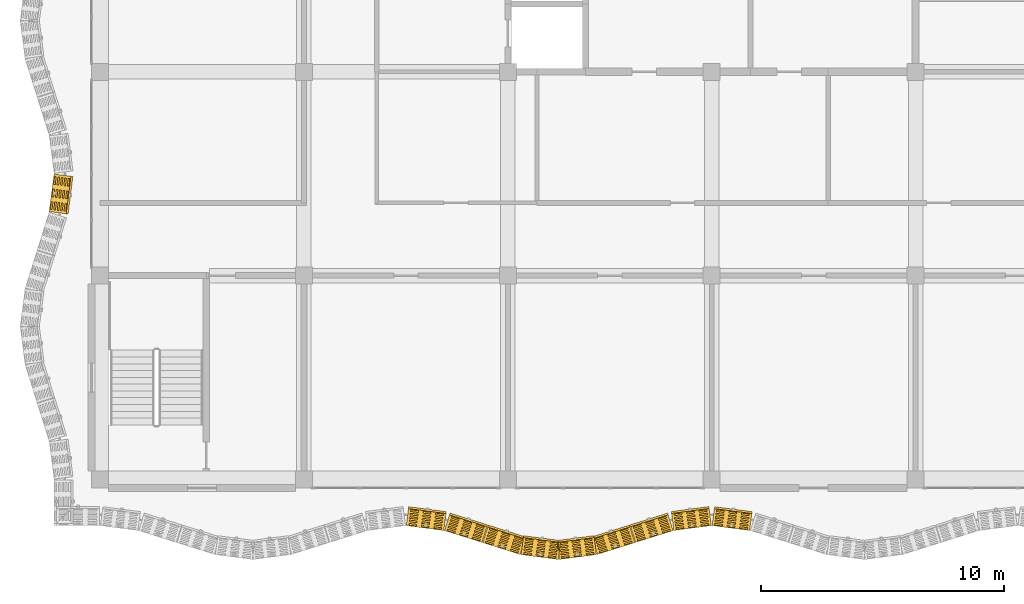
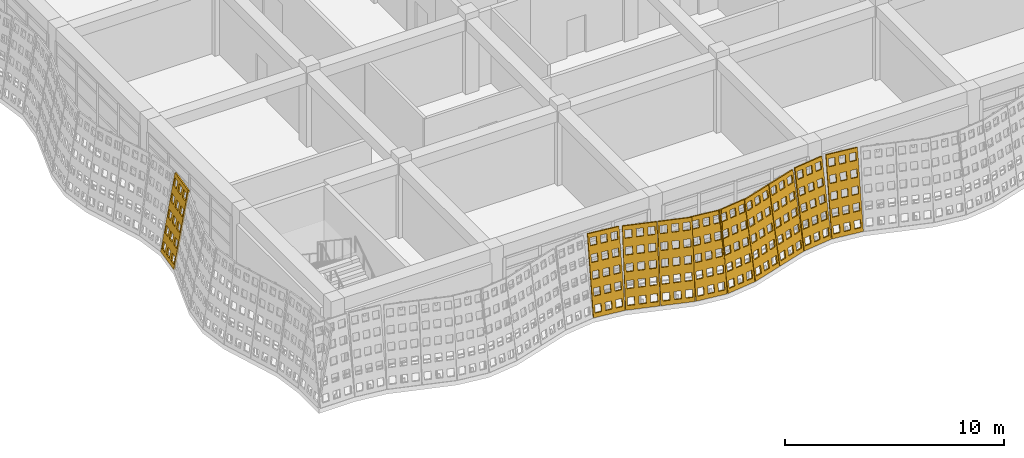
# One storey, part 115 of 162: 10 coverings.
"""IFC4 building model written with IfcOpenShell, lengths in metres."""

from ifc_helpers import new_model, si_unit, direction, frame, origin, place, context, subcontext, project, spatial, polyline, outline, extrude, material, layer, layer_set, type_object, element, save


model = new_model("IFC4")

# Units and contexts
model_context = context("Model", 3, precision=1e-05, world=origin(), true_north=direction((0.0, 1.0)))
body_context = subcontext(model_context, "Body", "Model", "MODEL_VIEW")
ifc_project = project(units=[si_unit("LENGTHUNIT", "METRE"), si_unit("AREAUNIT", "SQUARE_METRE"), si_unit("VOLUMEUNIT", "CUBIC_METRE"), si_unit("PLANEANGLEUNIT", "RADIAN"), si_unit("MASSUNIT", "GRAM", prefix="KILO")], contexts=[model_context])

# Site, building, storey
site_placement = place(None, origin())
site = spatial("IfcSite", under=ifc_project, at=site_placement, CompositionType="ELEMENT")
building_placement = place(site_placement, origin())
building = spatial("IfcBuilding", under=site, at=building_placement, Name="Rain Tree Exposition and Congress Centre", CompositionType="ELEMENT")
storey_placement = place(building_placement, frame((0.0, 0.0, 6.0)))
storey = spatial("IfcBuildingStorey", under=building, at=storey_placement, Name="L01", CompositionType="ELEMENT", Elevation=6.0)

# Coverings
ifc_material = material(Name="Perforated terracotta", Category="masonry")
ifc_layer = layer(ifc_material, 0.080078125)
ifc_layer_set = layer_set([ifc_layer], Name="Perforated terracotta")
covering_type = type_object("IfcCoveringType", Name="Terracotta screen 80", PredefinedType="CLADDING", material=ifc_layer_set)
covering_1_placement = place(storey_placement, frame((12.600341796875, -1.898193359375, 0.01318359375), z_axis=(0.127967328105, 0.978036007662, -0.16452942185), x_axis=(-0.991548658387, 0.129735338481, 0.0)))
element("IfcCovering", 1, at=covering_1_placement, inside=storey, type_object=covering_type, Name="wing/screen/L01/009", PredefinedType="CLADDING", context=body_context, shape_type="SweptSolid", body=[
    extrude(outline(polyline([(-1.5732421875, 0.0), (-1.5732421875, 4.295166015625), (-0.014892578125, 4.295166015625), (-0.014892578125, 0.0), (-1.5732421875, 0.0)]), holes=[polyline([(-0.11376953125, 0.2216796875), (-0.11376953125, 0.63720703125), (-0.435791015625, 0.63720703125), (-0.435791015625, 0.2216796875), (-0.11376953125, 0.2216796875)]), polyline([(-0.11376953125, 1.080810546875), (-0.11376953125, 1.496337890625), (-0.435791015625, 1.496337890625), (-0.435791015625, 1.080810546875), (-0.11376953125, 1.080810546875)]), polyline([(-0.11376953125, 1.939697265625), (-0.11376953125, 2.35546875), (-0.435791015625, 2.35546875), (-0.435791015625, 1.939697265625), (-0.11376953125, 1.939697265625)]), polyline([(-0.11376953125, 2.798583984375), (-0.11376953125, 3.21435546875), (-0.435791015625, 3.21435546875), (-0.435791015625, 2.798583984375), (-0.11376953125, 2.798583984375)]), polyline([(-0.11376953125, 3.65771484375), (-0.11376953125, 4.073486328125), (-0.435791015625, 4.073486328125), (-0.435791015625, 3.65771484375), (-0.11376953125, 3.65771484375)]), polyline([(-0.633056640625, 0.2216796875), (-0.633056640625, 0.63720703125), (-0.955078125, 0.63720703125), (-0.955078125, 0.2216796875), (-0.633056640625, 0.2216796875)]), polyline([(-0.633056640625, 1.080810546875), (-0.633056640625, 1.496337890625), (-0.955078125, 1.496337890625), (-0.955078125, 1.080810546875), (-0.633056640625, 1.080810546875)]), polyline([(-0.633056640625, 1.939697265625), (-0.633056640625, 2.35546875), (-0.955078125, 2.35546875), (-0.955078125, 1.939697265625), (-0.633056640625, 1.939697265625)]), polyline([(-0.633056640625, 2.798583984375), (-0.633056640625, 3.21435546875), (-0.955078125, 3.21435546875), (-0.955078125, 2.798583984375), (-0.633056640625, 2.798583984375)]), polyline([(-0.633056640625, 3.65771484375), (-0.633056640625, 4.073486328125), (-0.955078125, 4.073486328125), (-0.955078125, 3.65771484375), (-0.633056640625, 3.65771484375)]), polyline([(-1.152587890625, 0.2216796875), (-1.152587890625, 0.63720703125), (-1.474609375, 0.63720703125), (-1.474609375, 0.2216796875), (-1.152587890625, 0.2216796875)]), polyline([(-1.152587890625, 1.080810546875), (-1.152587890625, 1.496337890625), (-1.474609375, 1.496337890625), (-1.474609375, 1.080810546875), (-1.152587890625, 1.080810546875)]), polyline([(-1.152587890625, 1.939697265625), (-1.152587890625, 2.35546875), (-1.474609375, 2.35546875), (-1.474609375, 1.939697265625), (-1.152587890625, 1.939697265625)]), polyline([(-1.152587890625, 2.798583984375), (-1.152587890625, 3.21435546875), (-1.474609375, 3.21435546875), (-1.474609375, 2.798583984375), (-1.152587890625, 2.798583984375)]), polyline([(-1.152587890625, 3.65771484375), (-1.152587890625, 4.073486328125), (-1.474609375, 4.073486328125), (-1.474609375, 3.65771484375), (-1.152587890625, 3.65771484375)])]), origin(), (0.0, 0.0, 1.0), 0.080078125),
])
covering_2_placement = place(storey_placement, frame((14.175537109375, -2.103515625, 0.0126953125), z_axis=(0.295717964052, 0.942029390639, -0.158529217842), x_axis=(-0.954094597562, 0.29950542383, 0.0)))
element("IfcCovering", 2, at=covering_2_placement, inside=storey, type_object=covering_type, Name="wing/screen/L01/010", PredefinedType="CLADDING", context=body_context, shape_type="SweptSolid", body=[
    extrude(outline(polyline([(-1.635986328125, 0.0), (-1.635986328125, 4.291259765625), (-0.014892578125, 4.291259765625), (-0.014892578125, 0.0), (-1.635986328125, 0.0)]), holes=[polyline([(-0.11767578125, 0.221435546875), (-0.11767578125, 0.63671875), (-0.45263671875, 0.63671875), (-0.45263671875, 0.221435546875), (-0.11767578125, 0.221435546875)]), polyline([(-0.11767578125, 1.07958984375), (-0.11767578125, 1.4951171875), (-0.45263671875, 1.4951171875), (-0.45263671875, 1.07958984375), (-0.11767578125, 1.07958984375)]), polyline([(-0.11767578125, 1.93798828125), (-0.11767578125, 2.353271484375), (-0.45263671875, 2.353271484375), (-0.45263671875, 1.93798828125), (-0.11767578125, 1.93798828125)]), polyline([(-0.11767578125, 2.796142578125), (-0.11767578125, 3.21142578125), (-0.45263671875, 3.21142578125), (-0.45263671875, 2.796142578125), (-0.11767578125, 2.796142578125)]), polyline([(-0.11767578125, 3.654541015625), (-0.11767578125, 4.06982421875), (-0.45263671875, 4.06982421875), (-0.45263671875, 3.654541015625), (-0.11767578125, 3.654541015625)]), polyline([(-0.657958984375, 0.221435546875), (-0.657958984375, 0.63671875), (-0.992919921875, 0.63671875), (-0.992919921875, 0.221435546875), (-0.657958984375, 0.221435546875)]), polyline([(-0.657958984375, 1.07958984375), (-0.657958984375, 1.4951171875), (-0.992919921875, 1.4951171875), (-0.992919921875, 1.07958984375), (-0.657958984375, 1.07958984375)]), polyline([(-0.657958984375, 1.93798828125), (-0.657958984375, 2.353271484375), (-0.992919921875, 2.353271484375), (-0.992919921875, 1.93798828125), (-0.657958984375, 1.93798828125)]), polyline([(-0.657958984375, 2.796142578125), (-0.657958984375, 3.21142578125), (-0.992919921875, 3.21142578125), (-0.992919921875, 2.796142578125), (-0.657958984375, 2.796142578125)]), polyline([(-0.657958984375, 3.654541015625), (-0.657958984375, 4.06982421875), (-0.992919921875, 4.06982421875), (-0.992919921875, 3.654541015625), (-0.657958984375, 3.654541015625)]), polyline([(-1.1982421875, 0.221435546875), (-1.1982421875, 0.63671875), (-1.533203125, 0.63671875), (-1.533203125, 0.221435546875), (-1.1982421875, 0.221435546875)]), polyline([(-1.1982421875, 1.07958984375), (-1.1982421875, 1.4951171875), (-1.533203125, 1.4951171875), (-1.533203125, 1.07958984375), (-1.1982421875, 1.07958984375)]), polyline([(-1.1982421875, 1.93798828125), (-1.1982421875, 2.353271484375), (-1.533203125, 2.353271484375), (-1.533203125, 1.93798828125), (-1.1982421875, 1.93798828125)]), polyline([(-1.1982421875, 2.796142578125), (-1.1982421875, 3.21142578125), (-1.533203125, 3.21142578125), (-1.533203125, 2.796142578125), (-1.1982421875, 2.796142578125)]), polyline([(-1.1982421875, 3.654541015625), (-1.1982421875, 4.06982421875), (-1.533203125, 4.06982421875), (-1.533203125, 3.654541015625), (-1.1982421875, 3.654541015625)])]), origin(), (0.0, 0.0, 1.0), 0.080078125),
])
covering_3_placement = place(storey_placement, frame((15.75048828125, -2.598388671875, 0.0126953125), z_axis=(0.298496232686, 0.941176896939, -0.158385756119), x_axis=(-0.953208958144, 0.302312226207, 0.0)))
element("IfcCovering", 3, at=covering_3_placement, inside=storey, type_object=covering_type, Name="wing/screen/L01/011", PredefinedType="CLADDING", context=body_context, shape_type="SweptSolid", body=[
    extrude(outline(polyline([(-1.62890625, 0.0), (-1.62890625, 4.291259765625), (-0.014892578125, 4.291259765625), (-0.014892578125, 0.0), (-1.62890625, 0.0)]), holes=[polyline([(-0.1171875, 0.221435546875), (-0.1171875, 0.63671875), (-0.45068359375, 0.63671875), (-0.45068359375, 0.221435546875), (-0.1171875, 0.221435546875)]), polyline([(-0.1171875, 1.07958984375), (-0.1171875, 1.4951171875), (-0.45068359375, 1.4951171875), (-0.45068359375, 1.07958984375), (-0.1171875, 1.07958984375)]), polyline([(-0.1171875, 1.93798828125), (-0.1171875, 2.353271484375), (-0.45068359375, 2.353271484375), (-0.45068359375, 1.93798828125), (-0.1171875, 1.93798828125)]), polyline([(-0.1171875, 2.796142578125), (-0.1171875, 3.21142578125), (-0.45068359375, 3.21142578125), (-0.45068359375, 2.796142578125), (-0.1171875, 2.796142578125)]), polyline([(-0.1171875, 3.654541015625), (-0.1171875, 4.06982421875), (-0.45068359375, 4.06982421875), (-0.45068359375, 3.654541015625), (-0.1171875, 3.654541015625)]), polyline([(-0.6552734375, 0.221435546875), (-0.6552734375, 0.63671875), (-0.98876953125, 0.63671875), (-0.98876953125, 0.221435546875), (-0.6552734375, 0.221435546875)]), polyline([(-0.6552734375, 1.07958984375), (-0.6552734375, 1.4951171875), (-0.98876953125, 1.4951171875), (-0.98876953125, 1.07958984375), (-0.6552734375, 1.07958984375)]), polyline([(-0.6552734375, 1.93798828125), (-0.6552734375, 2.353271484375), (-0.98876953125, 2.353271484375), (-0.98876953125, 1.93798828125), (-0.6552734375, 1.93798828125)]), polyline([(-0.6552734375, 2.796142578125), (-0.6552734375, 3.21142578125), (-0.98876953125, 3.21142578125), (-0.98876953125, 2.796142578125), (-0.6552734375, 2.796142578125)]), polyline([(-0.6552734375, 3.654541015625), (-0.6552734375, 4.06982421875), (-0.98876953125, 4.06982421875), (-0.98876953125, 3.654541015625), (-0.6552734375, 3.654541015625)]), polyline([(-1.193115234375, 0.221435546875), (-1.193115234375, 0.63671875), (-1.526611328125, 0.63671875), (-1.526611328125, 0.221435546875), (-1.193115234375, 0.221435546875)]), polyline([(-1.193115234375, 1.07958984375), (-1.193115234375, 1.4951171875), (-1.526611328125, 1.4951171875), (-1.526611328125, 1.07958984375), (-1.193115234375, 1.07958984375)]), polyline([(-1.193115234375, 1.93798828125), (-1.193115234375, 2.353271484375), (-1.526611328125, 2.353271484375), (-1.526611328125, 1.93798828125), (-1.193115234375, 1.93798828125)]), polyline([(-1.193115234375, 2.796142578125), (-1.193115234375, 3.21142578125), (-1.526611328125, 3.21142578125), (-1.526611328125, 2.796142578125), (-1.193115234375, 2.796142578125)]), polyline([(-1.193115234375, 3.654541015625), (-1.193115234375, 4.06982421875), (-1.526611328125, 4.06982421875), (-1.526611328125, 3.654541015625), (-1.193115234375, 3.654541015625)])]), origin(), (0.0, 0.0, 1.0), 0.080078125),
])
covering_4_placement = place(storey_placement, frame((17.3251953125, -3.093017578125, 0.01318359375), z_axis=(0.128349774249, 0.9779030419, -0.165021138321), x_axis=(-0.991496427865, 0.130133906157, 0.0)))
element("IfcCovering", 4, at=covering_4_placement, inside=storey, type_object=covering_type, Name="wing/screen/L01/012", PredefinedType="CLADDING", context=body_context, shape_type="SweptSolid", body=[
    extrude(outline(polyline([(-1.56298828125, 0.0), (-1.56298828125, 4.295166015625), (-0.02197265625, 4.295166015625), (-0.02197265625, 0.0), (-1.56298828125, 0.0)]), holes=[polyline([(-0.11962890625, 0.2216796875), (-0.11962890625, 0.63720703125), (-0.43798828125, 0.63720703125), (-0.43798828125, 0.2216796875), (-0.11962890625, 0.2216796875)]), polyline([(-0.11962890625, 1.080810546875), (-0.11962890625, 1.496337890625), (-0.43798828125, 1.496337890625), (-0.43798828125, 1.080810546875), (-0.11962890625, 1.080810546875)]), polyline([(-0.11962890625, 1.939697265625), (-0.11962890625, 2.35546875), (-0.43798828125, 2.35546875), (-0.43798828125, 1.939697265625), (-0.11962890625, 1.939697265625)]), polyline([(-0.11962890625, 2.798583984375), (-0.11962890625, 3.21435546875), (-0.43798828125, 3.21435546875), (-0.43798828125, 2.798583984375), (-0.11962890625, 2.798583984375)]), polyline([(-0.11962890625, 3.65771484375), (-0.11962890625, 4.073486328125), (-0.43798828125, 4.073486328125), (-0.43798828125, 3.65771484375), (-0.11962890625, 3.65771484375)]), polyline([(-0.63330078125, 0.2216796875), (-0.63330078125, 0.63720703125), (-0.95166015625, 0.63720703125), (-0.95166015625, 0.2216796875), (-0.63330078125, 0.2216796875)]), polyline([(-0.63330078125, 1.080810546875), (-0.63330078125, 1.496337890625), (-0.95166015625, 1.496337890625), (-0.95166015625, 1.080810546875), (-0.63330078125, 1.080810546875)]), polyline([(-0.63330078125, 1.939697265625), (-0.63330078125, 2.35546875), (-0.95166015625, 2.35546875), (-0.95166015625, 1.939697265625), (-0.63330078125, 1.939697265625)]), polyline([(-0.63330078125, 2.798583984375), (-0.63330078125, 3.21435546875), (-0.95166015625, 3.21435546875), (-0.95166015625, 2.798583984375), (-0.63330078125, 2.798583984375)]), polyline([(-0.63330078125, 3.65771484375), (-0.63330078125, 4.073486328125), (-0.95166015625, 4.073486328125), (-0.95166015625, 3.65771484375), (-0.63330078125, 3.65771484375)]), polyline([(-1.146728515625, 0.2216796875), (-1.146728515625, 0.63720703125), (-1.46533203125, 0.63720703125), (-1.46533203125, 0.2216796875), (-1.146728515625, 0.2216796875)]), polyline([(-1.146728515625, 1.080810546875), (-1.146728515625, 1.496337890625), (-1.46533203125, 1.496337890625), (-1.46533203125, 1.080810546875), (-1.146728515625, 1.080810546875)]), polyline([(-1.146728515625, 1.939697265625), (-1.146728515625, 2.35546875), (-1.46533203125, 2.35546875), (-1.46533203125, 1.939697265625), (-1.146728515625, 1.939697265625)]), polyline([(-1.146728515625, 2.798583984375), (-1.146728515625, 3.21435546875), (-1.46533203125, 3.21435546875), (-1.46533203125, 2.798583984375), (-1.146728515625, 2.798583984375)]), polyline([(-1.146728515625, 3.65771484375), (-1.146728515625, 4.073486328125), (-1.46533203125, 4.073486328125), (-1.46533203125, 3.65771484375), (-1.146728515625, 3.65771484375)])]), origin(), (0.0, 0.0, 1.0), 0.079833984375),
])
covering_5_placement = place(storey_placement, frame((18.899658203125, -3.298095703125, 0.01318359375), z_axis=(-0.128349774249, 0.9779030419, -0.165021138321), x_axis=(-0.991496427865, -0.130133906157, 0.0)))
element("IfcCovering", 5, at=covering_5_placement, inside=storey, type_object=covering_type, Name="wing/screen/L01/013", PredefinedType="CLADDING", context=body_context, shape_type="SweptSolid", body=[
    extrude(outline(polyline([(-1.56640625, 0.0), (-1.56640625, 4.295166015625), (-0.025390625, 4.295166015625), (-0.025390625, 0.0), (-1.56640625, 0.0)]), holes=[polyline([(-0.123046875, 0.2216796875), (-0.123046875, 0.63720703125), (-0.44140625, 0.63720703125), (-0.44140625, 0.2216796875), (-0.123046875, 0.2216796875)]), polyline([(-0.123046875, 1.080810546875), (-0.123046875, 1.496337890625), (-0.44140625, 1.496337890625), (-0.44140625, 1.080810546875), (-0.123046875, 1.080810546875)]), polyline([(-0.123046875, 1.939697265625), (-0.123046875, 2.35546875), (-0.44140625, 2.35546875), (-0.44140625, 1.939697265625), (-0.123046875, 1.939697265625)]), polyline([(-0.123046875, 2.798583984375), (-0.123046875, 3.21435546875), (-0.44140625, 3.21435546875), (-0.44140625, 2.798583984375), (-0.123046875, 2.798583984375)]), polyline([(-0.123046875, 3.65771484375), (-0.123046875, 4.073486328125), (-0.44140625, 4.073486328125), (-0.44140625, 3.65771484375), (-0.123046875, 3.65771484375)]), polyline([(-0.63671875, 0.2216796875), (-0.63671875, 0.63720703125), (-0.955078125, 0.63720703125), (-0.955078125, 0.2216796875), (-0.63671875, 0.2216796875)]), polyline([(-0.63671875, 1.080810546875), (-0.63671875, 1.496337890625), (-0.955078125, 1.496337890625), (-0.955078125, 1.080810546875), (-0.63671875, 1.080810546875)]), polyline([(-0.63671875, 1.939697265625), (-0.63671875, 2.35546875), (-0.955078125, 2.35546875), (-0.955078125, 1.939697265625), (-0.63671875, 1.939697265625)]), polyline([(-0.63671875, 2.798583984375), (-0.63671875, 3.21435546875), (-0.955078125, 3.21435546875), (-0.955078125, 2.798583984375), (-0.63671875, 2.798583984375)]), polyline([(-0.63671875, 3.65771484375), (-0.63671875, 4.073486328125), (-0.955078125, 4.073486328125), (-0.955078125, 3.65771484375), (-0.63671875, 3.65771484375)]), polyline([(-1.150146484375, 0.2216796875), (-1.150146484375, 0.63720703125), (-1.46875, 0.63720703125), (-1.46875, 0.2216796875), (-1.150146484375, 0.2216796875)]), polyline([(-1.150146484375, 1.080810546875), (-1.150146484375, 1.496337890625), (-1.46875, 1.496337890625), (-1.46875, 1.080810546875), (-1.150146484375, 1.080810546875)]), polyline([(-1.150146484375, 1.939697265625), (-1.150146484375, 2.35546875), (-1.46875, 2.35546875), (-1.46875, 1.939697265625), (-1.150146484375, 1.939697265625)]), polyline([(-1.150146484375, 2.798583984375), (-1.150146484375, 3.21435546875), (-1.46875, 3.21435546875), (-1.46875, 2.798583984375), (-1.150146484375, 2.798583984375)]), polyline([(-1.150146484375, 3.65771484375), (-1.150146484375, 4.073486328125), (-1.46875, 4.073486328125), (-1.46875, 3.65771484375), (-1.150146484375, 3.65771484375)])]), origin(), (0.0, 0.0, 1.0), 0.079833984375),
])
covering_6_placement = place(storey_placement, frame((20.474365234375, -3.093505859375, 0.0126953125), z_axis=(-0.295717964052, 0.942029390639, -0.158529217842), x_axis=(-0.954094597562, -0.29950542383, 0.0)))
element("IfcCovering", 6, at=covering_6_placement, inside=storey, type_object=covering_type, Name="wing/screen/L01/014", PredefinedType="CLADDING", context=body_context, shape_type="SweptSolid", body=[
    extrude(outline(polyline([(-1.635986328125, 0.0), (-1.635986328125, 4.291259765625), (-0.02197265625, 4.291259765625), (-0.02197265625, 0.0), (-1.635986328125, 0.0)]), holes=[polyline([(-0.124267578125, 0.221435546875), (-0.124267578125, 0.63671875), (-0.457763671875, 0.63671875), (-0.457763671875, 0.221435546875), (-0.124267578125, 0.221435546875)]), polyline([(-0.124267578125, 1.07958984375), (-0.124267578125, 1.4951171875), (-0.457763671875, 1.4951171875), (-0.457763671875, 1.07958984375), (-0.124267578125, 1.07958984375)]), polyline([(-0.124267578125, 1.93798828125), (-0.124267578125, 2.353271484375), (-0.457763671875, 2.353271484375), (-0.457763671875, 1.93798828125), (-0.124267578125, 1.93798828125)]), polyline([(-0.124267578125, 2.796142578125), (-0.124267578125, 3.21142578125), (-0.457763671875, 3.21142578125), (-0.457763671875, 2.796142578125), (-0.124267578125, 2.796142578125)]), polyline([(-0.124267578125, 3.654541015625), (-0.124267578125, 4.06982421875), (-0.457763671875, 4.06982421875), (-0.457763671875, 3.654541015625), (-0.124267578125, 3.654541015625)]), polyline([(-0.662109375, 0.221435546875), (-0.662109375, 0.63671875), (-0.995849609375, 0.63671875), (-0.995849609375, 0.221435546875), (-0.662109375, 0.221435546875)]), polyline([(-0.662109375, 1.07958984375), (-0.662109375, 1.4951171875), (-0.995849609375, 1.4951171875), (-0.995849609375, 1.07958984375), (-0.662109375, 1.07958984375)]), polyline([(-0.662109375, 1.93798828125), (-0.662109375, 2.353271484375), (-0.995849609375, 2.353271484375), (-0.995849609375, 1.93798828125), (-0.662109375, 1.93798828125)]), polyline([(-0.662109375, 2.796142578125), (-0.662109375, 3.21142578125), (-0.995849609375, 3.21142578125), (-0.995849609375, 2.796142578125), (-0.662109375, 2.796142578125)]), polyline([(-0.662109375, 3.654541015625), (-0.662109375, 4.06982421875), (-0.995849609375, 4.06982421875), (-0.995849609375, 3.654541015625), (-0.662109375, 3.654541015625)]), polyline([(-1.2001953125, 0.221435546875), (-1.2001953125, 0.63671875), (-1.53369140625, 0.63671875), (-1.53369140625, 0.221435546875), (-1.2001953125, 0.221435546875)]), polyline([(-1.2001953125, 1.07958984375), (-1.2001953125, 1.4951171875), (-1.53369140625, 1.4951171875), (-1.53369140625, 1.07958984375), (-1.2001953125, 1.07958984375)]), polyline([(-1.2001953125, 1.93798828125), (-1.2001953125, 2.353271484375), (-1.53369140625, 2.353271484375), (-1.53369140625, 1.93798828125), (-1.2001953125, 1.93798828125)]), polyline([(-1.2001953125, 2.796142578125), (-1.2001953125, 3.21142578125), (-1.53369140625, 3.21142578125), (-1.53369140625, 2.796142578125), (-1.2001953125, 2.796142578125)]), polyline([(-1.2001953125, 3.654541015625), (-1.2001953125, 4.06982421875), (-1.53369140625, 4.06982421875), (-1.53369140625, 3.654541015625), (-1.2001953125, 3.654541015625)])]), origin(), (0.0, 0.0, 1.0), 0.080078125),
])
covering_7_placement = place(storey_placement, frame((22.04931640625, -2.598388671875, 0.0126953125), z_axis=(-0.295717964052, 0.942029390639, -0.158529217842), x_axis=(-0.954094597562, -0.29950542383, 0.0)))
element("IfcCovering", 7, at=covering_7_placement, inside=storey, type_object=covering_type, Name="wing/screen/L01/015", PredefinedType="CLADDING", context=body_context, shape_type="SweptSolid", body=[
    extrude(outline(polyline([(-1.635986328125, 0.0), (-1.635986328125, 4.291259765625), (-0.014892578125, 4.291259765625), (-0.014892578125, 0.0), (-1.635986328125, 0.0)]), holes=[polyline([(-0.11767578125, 0.221435546875), (-0.11767578125, 0.63671875), (-0.45263671875, 0.63671875), (-0.45263671875, 0.221435546875), (-0.11767578125, 0.221435546875)]), polyline([(-0.11767578125, 1.07958984375), (-0.11767578125, 1.4951171875), (-0.45263671875, 1.4951171875), (-0.45263671875, 1.07958984375), (-0.11767578125, 1.07958984375)]), polyline([(-0.11767578125, 1.93798828125), (-0.11767578125, 2.353271484375), (-0.45263671875, 2.353271484375), (-0.45263671875, 1.93798828125), (-0.11767578125, 1.93798828125)]), polyline([(-0.11767578125, 2.796142578125), (-0.11767578125, 3.21142578125), (-0.45263671875, 3.21142578125), (-0.45263671875, 2.796142578125), (-0.11767578125, 2.796142578125)]), polyline([(-0.11767578125, 3.654541015625), (-0.11767578125, 4.06982421875), (-0.45263671875, 4.06982421875), (-0.45263671875, 3.654541015625), (-0.11767578125, 3.654541015625)]), polyline([(-0.657958984375, 0.221435546875), (-0.657958984375, 0.63671875), (-0.992919921875, 0.63671875), (-0.992919921875, 0.221435546875), (-0.657958984375, 0.221435546875)]), polyline([(-0.657958984375, 1.07958984375), (-0.657958984375, 1.4951171875), (-0.992919921875, 1.4951171875), (-0.992919921875, 1.07958984375), (-0.657958984375, 1.07958984375)]), polyline([(-0.657958984375, 1.93798828125), (-0.657958984375, 2.353271484375), (-0.992919921875, 2.353271484375), (-0.992919921875, 1.93798828125), (-0.657958984375, 1.93798828125)]), polyline([(-0.657958984375, 2.796142578125), (-0.657958984375, 3.21142578125), (-0.992919921875, 3.21142578125), (-0.992919921875, 2.796142578125), (-0.657958984375, 2.796142578125)]), polyline([(-0.657958984375, 3.654541015625), (-0.657958984375, 4.06982421875), (-0.992919921875, 4.06982421875), (-0.992919921875, 3.654541015625), (-0.657958984375, 3.654541015625)]), polyline([(-1.1982421875, 0.221435546875), (-1.1982421875, 0.63671875), (-1.533203125, 0.63671875), (-1.533203125, 0.221435546875), (-1.1982421875, 0.221435546875)]), polyline([(-1.1982421875, 1.07958984375), (-1.1982421875, 1.4951171875), (-1.533203125, 1.4951171875), (-1.533203125, 1.07958984375), (-1.1982421875, 1.07958984375)]), polyline([(-1.1982421875, 1.93798828125), (-1.1982421875, 2.353271484375), (-1.533203125, 2.353271484375), (-1.533203125, 1.93798828125), (-1.1982421875, 1.93798828125)]), polyline([(-1.1982421875, 2.796142578125), (-1.1982421875, 3.21142578125), (-1.533203125, 3.21142578125), (-1.533203125, 2.796142578125), (-1.1982421875, 2.796142578125)]), polyline([(-1.1982421875, 3.654541015625), (-1.1982421875, 4.06982421875), (-1.533203125, 4.06982421875), (-1.533203125, 3.654541015625), (-1.1982421875, 3.654541015625)])]), origin(), (0.0, 0.0, 1.0), 0.080078125),
])
covering_8_placement = place(storey_placement, frame((23.624755859375, -2.10302734375, 0.01318359375), z_axis=(-0.128349774249, 0.9779030419, -0.165021138321), x_axis=(-0.991496427865, -0.130133906157, 0.0)))
element("IfcCovering", 8, at=covering_8_placement, inside=storey, type_object=covering_type, Name="wing/screen/L01/016", PredefinedType="CLADDING", context=body_context, shape_type="SweptSolid", body=[
    extrude(outline(polyline([(-1.5732421875, 0.0), (-1.5732421875, 4.295166015625), (-0.014892578125, 4.295166015625), (-0.014892578125, 0.0), (-1.5732421875, 0.0)]), holes=[polyline([(-0.11376953125, 0.2216796875), (-0.11376953125, 0.63720703125), (-0.435791015625, 0.63720703125), (-0.435791015625, 0.2216796875), (-0.11376953125, 0.2216796875)]), polyline([(-0.11376953125, 1.080810546875), (-0.11376953125, 1.496337890625), (-0.435791015625, 1.496337890625), (-0.435791015625, 1.080810546875), (-0.11376953125, 1.080810546875)]), polyline([(-0.11376953125, 1.939697265625), (-0.11376953125, 2.35546875), (-0.435791015625, 2.35546875), (-0.435791015625, 1.939697265625), (-0.11376953125, 1.939697265625)]), polyline([(-0.11376953125, 2.798583984375), (-0.11376953125, 3.21435546875), (-0.435791015625, 3.21435546875), (-0.435791015625, 2.798583984375), (-0.11376953125, 2.798583984375)]), polyline([(-0.11376953125, 3.65771484375), (-0.11376953125, 4.073486328125), (-0.435791015625, 4.073486328125), (-0.435791015625, 3.65771484375), (-0.11376953125, 3.65771484375)]), polyline([(-0.633056640625, 0.2216796875), (-0.633056640625, 0.63720703125), (-0.955078125, 0.63720703125), (-0.955078125, 0.2216796875), (-0.633056640625, 0.2216796875)]), polyline([(-0.633056640625, 1.080810546875), (-0.633056640625, 1.496337890625), (-0.955078125, 1.496337890625), (-0.955078125, 1.080810546875), (-0.633056640625, 1.080810546875)]), polyline([(-0.633056640625, 1.939697265625), (-0.633056640625, 2.35546875), (-0.955078125, 2.35546875), (-0.955078125, 1.939697265625), (-0.633056640625, 1.939697265625)]), polyline([(-0.633056640625, 2.798583984375), (-0.633056640625, 3.21435546875), (-0.955078125, 3.21435546875), (-0.955078125, 2.798583984375), (-0.633056640625, 2.798583984375)]), polyline([(-0.633056640625, 3.65771484375), (-0.633056640625, 4.073486328125), (-0.955078125, 4.073486328125), (-0.955078125, 3.65771484375), (-0.633056640625, 3.65771484375)]), polyline([(-1.152587890625, 0.2216796875), (-1.152587890625, 0.63720703125), (-1.474609375, 0.63720703125), (-1.474609375, 0.2216796875), (-1.152587890625, 0.2216796875)]), polyline([(-1.152587890625, 1.080810546875), (-1.152587890625, 1.496337890625), (-1.474609375, 1.496337890625), (-1.474609375, 1.080810546875), (-1.152587890625, 1.080810546875)]), polyline([(-1.152587890625, 1.939697265625), (-1.152587890625, 2.35546875), (-1.474609375, 2.35546875), (-1.474609375, 1.939697265625), (-1.152587890625, 1.939697265625)]), polyline([(-1.152587890625, 2.798583984375), (-1.152587890625, 3.21435546875), (-1.474609375, 3.21435546875), (-1.474609375, 2.798583984375), (-1.152587890625, 2.798583984375)]), polyline([(-1.152587890625, 3.65771484375), (-1.152587890625, 4.073486328125), (-1.474609375, 4.073486328125), (-1.474609375, 3.65771484375), (-1.152587890625, 3.65771484375)])]), origin(), (0.0, 0.0, 1.0), 0.079833984375),
])
covering_9_placement = place(storey_placement, frame((25.2001953125, -1.898193359375, 0.01318359375), z_axis=(0.127967328105, 0.978036007662, -0.16452942185), x_axis=(-0.991548658387, 0.129735338481, 0.0)))
element("IfcCovering", 9, at=covering_9_placement, inside=storey, type_object=covering_type, Name="wing/screen/L01/017", PredefinedType="CLADDING", context=body_context, shape_type="SweptSolid", body=[
    extrude(outline(polyline([(-1.5732421875, 0.0), (-1.5732421875, 4.295166015625), (-0.014892578125, 4.295166015625), (-0.014892578125, 0.0), (-1.5732421875, 0.0)]), holes=[polyline([(-0.11376953125, 0.2216796875), (-0.11376953125, 0.63720703125), (-0.435791015625, 0.63720703125), (-0.435791015625, 0.2216796875), (-0.11376953125, 0.2216796875)]), polyline([(-0.11376953125, 1.080810546875), (-0.11376953125, 1.496337890625), (-0.435791015625, 1.496337890625), (-0.435791015625, 1.080810546875), (-0.11376953125, 1.080810546875)]), polyline([(-0.11376953125, 1.939697265625), (-0.11376953125, 2.35546875), (-0.435791015625, 2.35546875), (-0.435791015625, 1.939697265625), (-0.11376953125, 1.939697265625)]), polyline([(-0.11376953125, 2.798583984375), (-0.11376953125, 3.21435546875), (-0.435791015625, 3.21435546875), (-0.435791015625, 2.798583984375), (-0.11376953125, 2.798583984375)]), polyline([(-0.11376953125, 3.65771484375), (-0.11376953125, 4.073486328125), (-0.435791015625, 4.073486328125), (-0.435791015625, 3.65771484375), (-0.11376953125, 3.65771484375)]), polyline([(-0.633056640625, 0.2216796875), (-0.633056640625, 0.63720703125), (-0.955078125, 0.63720703125), (-0.955078125, 0.2216796875), (-0.633056640625, 0.2216796875)]), polyline([(-0.633056640625, 1.080810546875), (-0.633056640625, 1.496337890625), (-0.955078125, 1.496337890625), (-0.955078125, 1.080810546875), (-0.633056640625, 1.080810546875)]), polyline([(-0.633056640625, 1.939697265625), (-0.633056640625, 2.35546875), (-0.955078125, 2.35546875), (-0.955078125, 1.939697265625), (-0.633056640625, 1.939697265625)]), polyline([(-0.633056640625, 2.798583984375), (-0.633056640625, 3.21435546875), (-0.955078125, 3.21435546875), (-0.955078125, 2.798583984375), (-0.633056640625, 2.798583984375)]), polyline([(-0.633056640625, 3.65771484375), (-0.633056640625, 4.073486328125), (-0.955078125, 4.073486328125), (-0.955078125, 3.65771484375), (-0.633056640625, 3.65771484375)]), polyline([(-1.152587890625, 0.2216796875), (-1.152587890625, 0.63720703125), (-1.474609375, 0.63720703125), (-1.474609375, 0.2216796875), (-1.152587890625, 0.2216796875)]), polyline([(-1.152587890625, 1.080810546875), (-1.152587890625, 1.496337890625), (-1.474609375, 1.496337890625), (-1.474609375, 1.080810546875), (-1.152587890625, 1.080810546875)]), polyline([(-1.152587890625, 1.939697265625), (-1.152587890625, 2.35546875), (-1.474609375, 2.35546875), (-1.474609375, 1.939697265625), (-1.152587890625, 1.939697265625)]), polyline([(-1.152587890625, 2.798583984375), (-1.152587890625, 3.21435546875), (-1.474609375, 3.21435546875), (-1.474609375, 2.798583984375), (-1.152587890625, 2.798583984375)]), polyline([(-1.152587890625, 3.65771484375), (-1.152587890625, 4.073486328125), (-1.474609375, 4.073486328125), (-1.474609375, 3.65771484375), (-1.152587890625, 3.65771484375)])]), origin(), (0.0, 0.0, 1.0), 0.080078125),
])
covering_10_placement = place(storey_placement, frame((-1.898193359375, 12.599609375, 0.01318359375), z_axis=(0.978413018317, -0.124968640969, -0.164592844203), x_axis=(0.126696580272, 0.991941518713, 0.0)))
element("IfcCovering", 10, at=covering_10_placement, inside=storey, type_object=covering_type, Name="wing/screen/L01/127", PredefinedType="CLADDING", context=body_context, shape_type="SweptSolid", body=[
    extrude(outline(polyline([(-1.5732421875, 0.0), (-1.5732421875, 4.295166015625), (-0.014892578125, 4.295166015625), (-0.014892578125, 0.0), (-1.5732421875, 0.0)]), holes=[polyline([(-0.11376953125, 0.2216796875), (-0.11376953125, 0.63720703125), (-0.435791015625, 0.63720703125), (-0.435791015625, 0.2216796875), (-0.11376953125, 0.2216796875)]), polyline([(-0.11376953125, 1.080810546875), (-0.11376953125, 1.496337890625), (-0.435791015625, 1.496337890625), (-0.435791015625, 1.080810546875), (-0.11376953125, 1.080810546875)]), polyline([(-0.11376953125, 1.939697265625), (-0.11376953125, 2.35546875), (-0.435791015625, 2.35546875), (-0.435791015625, 1.939697265625), (-0.11376953125, 1.939697265625)]), polyline([(-0.11376953125, 2.798583984375), (-0.11376953125, 3.21435546875), (-0.435791015625, 3.21435546875), (-0.435791015625, 2.798583984375), (-0.11376953125, 2.798583984375)]), polyline([(-0.11376953125, 3.65771484375), (-0.11376953125, 4.073486328125), (-0.435791015625, 4.073486328125), (-0.435791015625, 3.65771484375), (-0.11376953125, 3.65771484375)]), polyline([(-0.633056640625, 0.2216796875), (-0.633056640625, 0.63720703125), (-0.955078125, 0.63720703125), (-0.955078125, 0.2216796875), (-0.633056640625, 0.2216796875)]), polyline([(-0.633056640625, 1.080810546875), (-0.633056640625, 1.496337890625), (-0.955078125, 1.496337890625), (-0.955078125, 1.080810546875), (-0.633056640625, 1.080810546875)]), polyline([(-0.633056640625, 1.939697265625), (-0.633056640625, 2.35546875), (-0.955078125, 2.35546875), (-0.955078125, 1.939697265625), (-0.633056640625, 1.939697265625)]), polyline([(-0.633056640625, 2.798583984375), (-0.633056640625, 3.21435546875), (-0.955078125, 3.21435546875), (-0.955078125, 2.798583984375), (-0.633056640625, 2.798583984375)]), polyline([(-0.633056640625, 3.65771484375), (-0.633056640625, 4.073486328125), (-0.955078125, 4.073486328125), (-0.955078125, 3.65771484375), (-0.633056640625, 3.65771484375)]), polyline([(-1.152587890625, 0.2216796875), (-1.152587890625, 0.63720703125), (-1.474609375, 0.63720703125), (-1.474609375, 0.2216796875), (-1.152587890625, 0.2216796875)]), polyline([(-1.152587890625, 1.080810546875), (-1.152587890625, 1.496337890625), (-1.474609375, 1.496337890625), (-1.474609375, 1.080810546875), (-1.152587890625, 1.080810546875)]), polyline([(-1.152587890625, 1.939697265625), (-1.152587890625, 2.35546875), (-1.474609375, 2.35546875), (-1.474609375, 1.939697265625), (-1.152587890625, 1.939697265625)]), polyline([(-1.152587890625, 2.798583984375), (-1.152587890625, 3.21435546875), (-1.474609375, 3.21435546875), (-1.474609375, 2.798583984375), (-1.152587890625, 2.798583984375)]), polyline([(-1.152587890625, 3.65771484375), (-1.152587890625, 4.073486328125), (-1.474609375, 4.073486328125), (-1.474609375, 3.65771484375), (-1.152587890625, 3.65771484375)])]), origin(), (0.0, 0.0, 1.0), 0.080078125),
])

save(model, "model.ifc")
